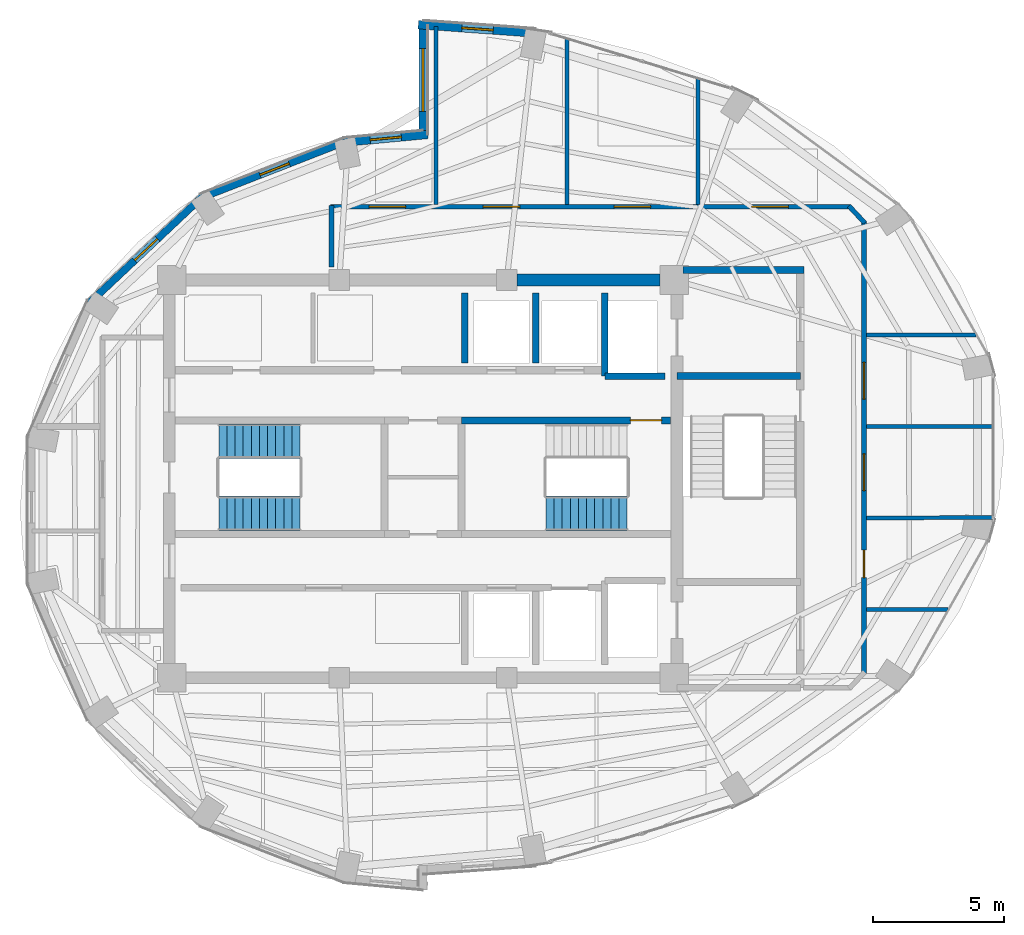
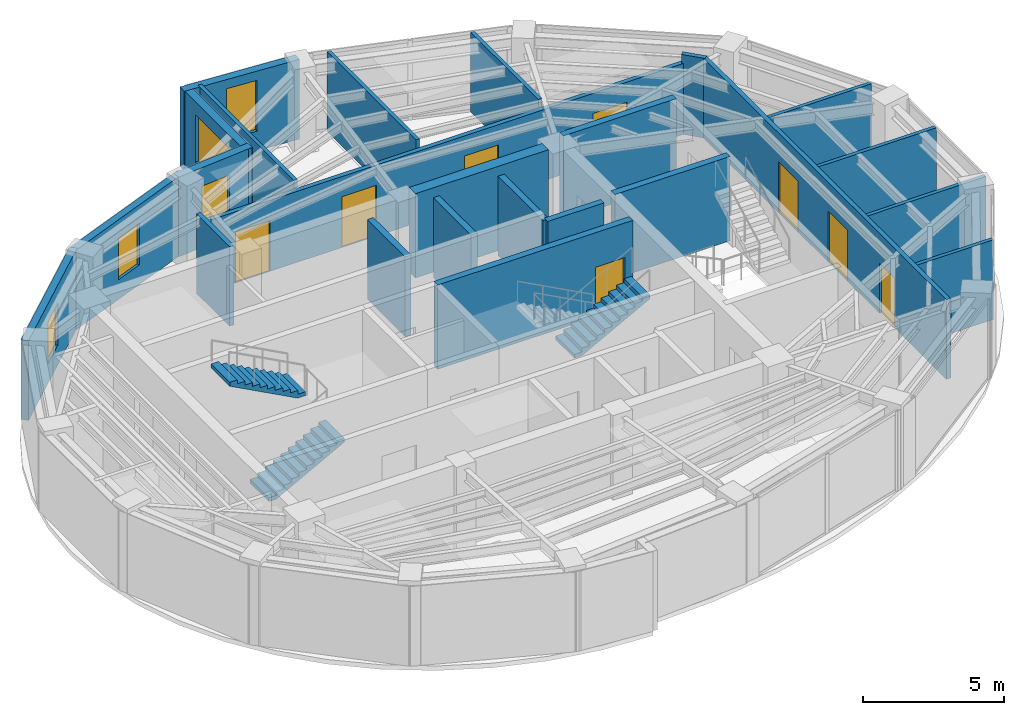
# One storey, part 10 of 13: 24 walls, 8 doors, 5 windows, 3 stair flights, 13 openings, 2 elements without a shape of their own.
"""IFC4 building model written with IfcOpenShell, lengths in metres."""

from ifc_helpers import new_model, si_unit, direction, frame, frame_2d, origin, place, context, subcontext, project, spatial, polyline, rectangle, outline, extrude, material, layer, layer_set, type_object, element, fill, aggregate, save


model = new_model("IFC4")

# Units and contexts
model_context = context("Model", 3, precision=1e-05, world=origin(), true_north=direction((0.0, 1.0)))
body_context = subcontext(model_context, "Body", "Model", "MODEL_VIEW")
ifc_project = project(units=[si_unit("LENGTHUNIT", "METRE"), si_unit("AREAUNIT", "SQUARE_METRE"), si_unit("VOLUMEUNIT", "CUBIC_METRE"), si_unit("PLANEANGLEUNIT", "RADIAN"), si_unit("MASSUNIT", "GRAM", prefix="KILO")], contexts=[model_context])

# Site, building, storey
site_placement = place(None, origin())
site = spatial("IfcSite", under=ifc_project, at=site_placement, CompositionType="ELEMENT")
building_placement = place(site_placement, origin())
building = spatial("IfcBuilding", under=site, at=building_placement, Name="Lazwardi Medical Tower", CompositionType="ELEMENT")
storey_placement = place(building_placement, frame((0.0, 0.0, 273.263916015625)))
storey = spatial("IfcBuildingStorey", under=building, at=storey_placement, Name="L71", CompositionType="ELEMENT", Elevation=273.263916015625)

# Wall
ifc_material_1 = material(Name="Fire-rated gypsum board on steel stud", Category="steel")
ifc_layer_1 = layer(ifc_material_1, 0.179931640625)
ifc_layer_set_1 = layer_set([ifc_layer_1], Name="Fire-rated gypsum board on steel stud")
wall_type_1 = type_object("IfcWallType", Name="WL-COR-180", PredefinedType="PARTITIONING", material=ifc_layer_set_1)
wall_1_placement = place(storey_placement, frame((32.5, 36.090087890625, 0.0), z_axis=(0.0, 0.0, 1.0), x_axis=(0.0, 1.0, 0.0)))
element("IfcWall", 1, at=wall_1_placement, inside=storey, type_object=wall_type_1, Name="L71 Corridor partition 1", PredefinedType="PARTITIONING", context=body_context, shape_type="SweptSolid", body=[
    extrude(rectangle(XDim=2.349853515625, YDim=0.179931640625, at=frame_2d((1.1748046875, 0.0))), origin(), (0.0, 0.0, 1.0), 3.447998046875),
])

# Wall, openings, doors
wall_2_placement = place(storey_placement, frame((32.4599609375, 38.39990234375, 0.0), z_axis=(0.0, 0.0, 1.0), x_axis=(1.0, 0.0, 0.0)))
wall_2 = element("IfcWall", 2, at=wall_2_placement, inside=storey, type_object=wall_type_1, Name="L71 Corridor partition 2", PredefinedType="PARTITIONING", context=body_context, shape_type="SweptSolid", body=[
    extrude(rectangle(XDim=19.879150390625, YDim=0.179931640625, at=frame_2d((9.939453125, 0.0))), origin(), (0.0, 0.0, 1.0), 3.072998046875),
])
opening_1_placement = place(wall_2_placement, frame((16.1005859375, 0.0, 0.0)))
opening_1 = element("IfcOpeningElement", 3, at=opening_1_placement, cuts=wall_2, Name="Opening D-L71-015", PredefinedType="OPENING", context=body_context, shape_type="SweptSolid", body=[
    extrude(rectangle(XDim=1.39990234375, YDim=2.199951171875, at=frame_2d((0.699951171875, 1.10009765625))), frame((0.0, 0.099853515625, 0.0), z_axis=(0.0, -1.0, 0.0), x_axis=(1.0, 0.0, 0.0)), (0.0, 0.0, 1.0), 0.199951171875),
])
opening_2_placement = place(wall_2_placement, frame((10.840087890625, 0.0, 0.0)))
opening_2 = element("IfcOpeningElement", 4, at=opening_2_placement, cuts=wall_2, Name="Opening D-L71-016", PredefinedType="OPENING", context=body_context, shape_type="SweptSolid", body=[
    extrude(rectangle(XDim=1.39990234375, YDim=2.199951171875, at=frame_2d((0.699951171875, 1.10009765625))), frame((0.0, 0.099853515625, 0.0), z_axis=(0.0, -1.0, 0.0), x_axis=(1.0, 0.0, 0.0)), (0.0, 0.0, 1.0), 0.199951171875),
])
opening_3_placement = place(wall_2_placement, frame((5.840087890625, 0.0, 0.0)))
opening_3 = element("IfcOpeningElement", 5, at=opening_3_placement, cuts=wall_2, Name="Opening D-L71-017", PredefinedType="OPENING", context=body_context, shape_type="SweptSolid", body=[
    extrude(rectangle(XDim=1.39990234375, YDim=2.199951171875, at=frame_2d((0.699951171875, 1.10009765625))), frame((0.0, 0.099853515625, 0.0), z_axis=(0.0, -1.0, 0.0), x_axis=(1.0, 0.0, 0.0)), (0.0, 0.0, 1.0), 0.199951171875),
])
opening_4_placement = place(wall_2_placement, frame((1.47900390625, 0.0, 0.0)))
opening_4 = element("IfcOpeningElement", 6, at=opening_4_placement, cuts=wall_2, Name="Opening D-L71-018", PredefinedType="OPENING", context=body_context, shape_type="SweptSolid", body=[
    extrude(rectangle(XDim=1.39990234375, YDim=2.199951171875, at=frame_2d((0.699951171875, 1.10009765625))), frame((0.0, 0.099853515625, 0.0), z_axis=(0.0, -1.0, 0.0), x_axis=(1.0, 0.0, 0.0)), (0.0, 0.0, 1.0), 0.199951171875),
])
ifc_material_2 = material(Name="Anti-microbial laminate hospital leaf")
door_type_1 = type_object("IfcDoorType", Name="DR-BED-1400", OperationType="NOTDEFINED", PredefinedType="DOOR", material=ifc_material_2)
door_1_placement = place(opening_1_placement, origin())
door_1 = element("IfcDoor", 7, at=door_1_placement, inside=storey, type_object=door_type_1, Name="L71 Patient Bedroom Door 06", OperationType="SINGLE_SWING_RIGHT", OverallHeight=2.199951171875, OverallWidth=1.39990234375, PredefinedType="DOOR", context=body_context, shape_type="SweptSolid", body=[
    extrude(rectangle(XDim=1.39990234375, YDim=2.199951171875, at=frame_2d((0.699951171875, 1.10009765625))), frame((0.0, 0.02490234375, 0.0), z_axis=(0.0, -1.0, 0.0), x_axis=(1.0, 0.0, 0.0)), (0.0, 0.0, 1.0), 0.050048828125),
])
fill(opening_1, door_1)
door_2_placement = place(opening_2_placement, origin())
door_2 = element("IfcDoor", 8, at=door_2_placement, inside=storey, type_object=door_type_1, Name="L71 Patient Bedroom Door 07", OperationType="SINGLE_SWING_LEFT", OverallHeight=2.199951171875, OverallWidth=1.39990234375, PredefinedType="DOOR", context=body_context, shape_type="SweptSolid", body=[
    extrude(rectangle(XDim=1.39990234375, YDim=2.199951171875, at=frame_2d((0.699951171875, 1.10009765625))), frame((0.0, 0.02490234375, 0.0), z_axis=(0.0, -1.0, 0.0), x_axis=(1.0, 0.0, 0.0)), (0.0, 0.0, 1.0), 0.050048828125),
])
fill(opening_2, door_2)
door_3_placement = place(opening_3_placement, origin())
door_3 = element("IfcDoor", 9, at=door_3_placement, inside=storey, type_object=door_type_1, Name="L71 Inpatient Ward Door 08", OperationType="SINGLE_SWING_RIGHT", OverallHeight=2.199951171875, OverallWidth=1.39990234375, PredefinedType="DOOR", context=body_context, shape_type="SweptSolid", body=[
    extrude(rectangle(XDim=1.39990234375, YDim=2.199951171875, at=frame_2d((0.699951171875, 1.10009765625))), frame((0.0, 0.02490234375, 0.0), z_axis=(0.0, -1.0, 0.0), x_axis=(1.0, 0.0, 0.0)), (0.0, 0.0, 1.0), 0.050048828125),
])
fill(opening_3, door_3)
door_4_placement = place(opening_4_placement, origin())
door_4 = element("IfcDoor", 10, at=door_4_placement, inside=storey, type_object=door_type_1, Name="L71 Inpatient Ward Door 09", OperationType="SINGLE_SWING_LEFT", OverallHeight=2.199951171875, OverallWidth=1.39990234375, PredefinedType="DOOR", context=body_context, shape_type="SweptSolid", body=[
    extrude(rectangle(XDim=1.39990234375, YDim=2.199951171875, at=frame_2d((0.699951171875, 1.10009765625))), frame((0.0, 0.02490234375, 0.0), z_axis=(0.0, -1.0, 0.0), x_axis=(1.0, 0.0, 0.0)), (0.0, 0.0, 1.0), 0.050048828125),
])
fill(opening_4, door_4)

# Wall
wall_3_placement = place(storey_placement, frame((52.271728515625, 38.42919921875, 0.0), z_axis=(0.0, 0.0, 1.0), x_axis=(0.682475113459, -0.730908831188, 0.0)))
element("IfcWall", 11, at=wall_3_placement, inside=storey, type_object=wall_type_1, Name="L71 Corridor partition 3", PredefinedType="PARTITIONING", context=body_context, shape_type="SweptSolid", body=[
    extrude(rectangle(XDim=0.88720703125, YDim=0.179931640625, at=frame_2d((0.443603515625, 0.0))), origin(), (0.0, 0.0, 1.0), 3.447998046875),
])

# Wall, openings, doors
wall_4_placement = place(storey_placement, frame((52.85009765625, 37.85009765625, 0.0), z_axis=(0.0, 0.0, 1.0), x_axis=(0.0, -1.0, 0.0)))
wall_4 = element("IfcWall", 12, at=wall_4_placement, inside=storey, type_object=wall_type_1, Name="L71 Corridor partition 4", PredefinedType="PARTITIONING", context=body_context, shape_type="SweptSolid", body=[
    extrude(rectangle(XDim=17.30029296875, YDim=0.179931640625, at=frame_2d((8.650146484375, 0.0))), origin(), (0.0, 0.0, 1.0), 3.447998046875),
])
opening_5_placement = place(wall_4_placement, frame((12.574951171875, 0.0, 0.0)))
opening_5 = element("IfcOpeningElement", 13, at=opening_5_placement, cuts=wall_4, Name="Opening D-L71-012", PredefinedType="OPENING", context=body_context, shape_type="SweptSolid", body=[
    extrude(rectangle(XDim=1.050048828125, YDim=2.14990234375, at=frame_2d((0.52490234375, 1.074951171875))), frame((0.0, 0.099853515625, 0.0), z_axis=(0.0, -1.0, 0.0), x_axis=(1.0, 0.0, 0.0)), (0.0, 0.0, 1.0), 0.199951171875),
])
opening_6_placement = place(wall_4_placement, frame((8.89990234375, 0.0, 0.0)))
opening_6 = element("IfcOpeningElement", 14, at=opening_6_placement, cuts=wall_4, Name="Opening D-L71-013", PredefinedType="OPENING", context=body_context, shape_type="SweptSolid", body=[
    extrude(rectangle(XDim=1.39990234375, YDim=2.199951171875, at=frame_2d((0.699951171875, 1.10009765625))), frame((0.0, 0.099853515625, 0.0), z_axis=(0.0, -1.0, 0.0), x_axis=(1.0, 0.0, 0.0)), (0.0, 0.0, 1.0), 0.199951171875),
])
opening_7_placement = place(wall_4_placement, frame((5.400146484375, 0.0, 0.0)))
opening_7 = element("IfcOpeningElement", 15, at=opening_7_placement, cuts=wall_4, Name="Opening D-L71-014", PredefinedType="OPENING", context=body_context, shape_type="SweptSolid", body=[
    extrude(rectangle(XDim=1.39990234375, YDim=2.199951171875, at=frame_2d((0.699951171875, 1.10009765625))), frame((0.0, 0.099853515625, 0.0), z_axis=(0.0, -1.0, 0.0), x_axis=(1.0, 0.0, 0.0)), (0.0, 0.0, 1.0), 0.199951171875),
])
door_5_placement = place(opening_6_placement, origin())
door_5 = element("IfcDoor", 16, at=door_5_placement, inside=storey, type_object=door_type_1, Name="L71 Department Reception Foyer Door 04", OperationType="SINGLE_SWING_RIGHT", OverallHeight=2.199951171875, OverallWidth=1.39990234375, PredefinedType="DOOR", context=body_context, shape_type="SweptSolid", body=[
    extrude(rectangle(XDim=1.39990234375, YDim=2.199951171875, at=frame_2d((0.699951171875, 1.10009765625))), frame((0.0, 0.02490234375, 0.0), z_axis=(0.0, -1.0, 0.0), x_axis=(1.0, 0.0, 0.0)), (0.0, 0.0, 1.0), 0.050048828125),
])
fill(opening_6, door_5)
door_6_placement = place(opening_7_placement, origin())
door_6 = element("IfcDoor", 17, at=door_6_placement, inside=storey, type_object=door_type_1, Name="L71 Outpatient Clinic Door 05", OperationType="SINGLE_SWING_LEFT", OverallHeight=2.199951171875, OverallWidth=1.39990234375, PredefinedType="DOOR", context=body_context, shape_type="SweptSolid", body=[
    extrude(rectangle(XDim=1.39990234375, YDim=2.199951171875, at=frame_2d((0.699951171875, 1.10009765625))), frame((0.0, 0.02490234375, 0.0), z_axis=(0.0, -1.0, 0.0), x_axis=(1.0, 0.0, 0.0)), (0.0, 0.0, 1.0), 0.050048828125),
])
fill(opening_7, door_6)
door_type_2 = type_object("IfcDoorType", Name="DR-CLN-1050", OperationType="NOTDEFINED", PredefinedType="DOOR", material=ifc_material_2)
door_7_placement = place(opening_5_placement, origin())
door_7 = element("IfcDoor", 18, at=door_7_placement, inside=storey, type_object=door_type_2, Name="L71 Outpatient Clinic Door 03", OperationType="SINGLE_SWING_LEFT", OverallHeight=2.14990234375, OverallWidth=1.050048828125, PredefinedType="DOOR", context=body_context, shape_type="SweptSolid", body=[
    extrude(rectangle(XDim=1.050048828125, YDim=2.14990234375, at=frame_2d((0.52490234375, 1.074951171875))), frame((0.0, 0.02490234375, 0.0), z_axis=(0.0, -1.0, 0.0), x_axis=(1.0, 0.0, 0.0)), (0.0, 0.0, 1.0), 0.050048828125),
])
fill(opening_5, door_7)

# Wall
ifc_material_3 = material(Name="Concrete C60/75", Category="concrete")
ifc_layer_2 = layer(ifc_material_3, 0.449951171875)
ifc_layer_set_2 = layer_set([ifc_layer_2], Name="Concrete C60/75")
wall_type_2 = type_object("IfcWallType", Name="WL-CORE-450", PredefinedType="SHEAR", material=ifc_layer_set_2)
wall_5_placement = place(storey_placement, frame((39.60009765625, 35.60009765625, 0.0), z_axis=(0.0, 0.0, 1.0), x_axis=(1.0, 0.0, 0.0)))
element("IfcWall", 19, at=wall_5_placement, inside=storey, type_object=wall_type_2, Name="Core wall CW-S4 N3 L71", PredefinedType="SHEAR", context=body_context, shape_type="SweptSolid", body=[
    extrude(rectangle(XDim=5.449951171875, YDim=0.449951171875, at=frame_2d((2.72509765625, 0.0))), origin(), (0.0, 0.0, 1.0), 3.648193359375),
])

# Wall, opening, window
ifc_material_4 = material(Name="Precast concrete C45/55", Category="concrete")
ifc_layer_3 = layer(ifc_material_4, 0.280029296875)
ifc_layer_set_3 = layer_set([ifc_layer_3], Name="Precast concrete C45/55")
wall_type_3 = type_object("IfcWallType", Name="WL-DRUM-280", PredefinedType="SOLIDWALL", material=ifc_layer_set_3)
wall_6_placement = place(storey_placement, frame((33.227783203125, 40.964111328125, 0.0), z_axis=(0.0, 0.0, 1.0), x_axis=(-0.931716550814, -0.36318627306, 0.0)))
wall_6 = element("IfcWall", 20, at=wall_6_placement, inside=storey, type_object=wall_type_3, Name="L71 West Drum Precast Wall 1", PredefinedType="SOLIDWALL", context=body_context, shape_type="SweptSolid", body=[
    extrude(rectangle(XDim=6.22412109375, YDim=0.280029296875, at=frame_2d((3.112060546875, 0.0))), origin(), (0.0, 0.0, 1.0), 3.447998046875),
])
opening_8_placement = place(wall_6_placement, frame((2.511962890625, 0.0, 0.85009765625)))
opening_8 = element("IfcOpeningElement", 21, at=opening_8_placement, cuts=wall_6, Name="Opening WN-04", PredefinedType="OPENING", context=body_context, shape_type="SweptSolid", body=[
    extrude(rectangle(XDim=1.199951171875, YDim=1.800048828125, at=frame_2d((0.60009765625, 0.89990234375))), frame((0.0, 0.14990234375, 0.0), z_axis=(0.0, -1.0, 0.0), x_axis=(1.0, 0.0, 0.0)), (0.0, 0.0, 1.0), 0.300048828125),
])
ifc_material_5 = material(Name="Low-e bronze solar control double glazing", Category="glass")
window_type_1 = type_object("IfcWindowType", Name="WIN-DRUM-1200", PartitioningType="SINGLE_PANEL", PredefinedType="WINDOW", material=ifc_material_5)
window_1_placement = place(opening_8_placement, origin())
window_1 = element("IfcWindow", 22, at=window_1_placement, inside=storey, type_object=window_type_1, Name="L71 West Drum Window 1", OverallHeight=1.800048828125, OverallWidth=1.199951171875, PartitioningType="SINGLE_PANEL", PredefinedType="WINDOW", context=body_context, shape_type="SweptSolid", body=[
    extrude(rectangle(XDim=1.199951171875, YDim=1.800048828125, at=frame_2d((0.60009765625, 0.89990234375))), frame((0.0, 0.030029296875, 0.0), z_axis=(0.0, -1.0, 0.0), x_axis=(1.0, 0.0, 0.0)), (0.0, 0.0, 1.0), 0.06005859375),
])
fill(opening_8, window_1)

wall_7_placement = place(storey_placement, frame((27.5947265625, 38.808349609375, 0.0), z_axis=(0.0, 0.0, 1.0), x_axis=(-0.728251519923, -0.685309947199, 0.0)))
wall_7 = element("IfcWall", 23, at=wall_7_placement, inside=storey, type_object=wall_type_3, Name="L71 West Drum Precast Wall 2", PredefinedType="SOLIDWALL", context=body_context, shape_type="SweptSolid", body=[
    extrude(rectangle(XDim=5.98095703125, YDim=0.280029296875, at=frame_2d((2.990478515625, 0.0))), origin(), (0.0, 0.0, 1.0), 3.447998046875),
])
opening_9_placement = place(wall_7_placement, frame((2.390625, 0.0, 0.85009765625)))
opening_9 = element("IfcOpeningElement", 24, at=opening_9_placement, cuts=wall_7, Name="Opening WN-04", PredefinedType="OPENING", context=body_context, shape_type="SweptSolid", body=[
    extrude(rectangle(XDim=1.199951171875, YDim=1.800048828125, at=frame_2d((0.60009765625, 0.89990234375))), frame((0.0, 0.14990234375, 0.0), z_axis=(0.0, -1.0, 0.0), x_axis=(1.0, 0.0, 0.0)), (0.0, 0.0, 1.0), 0.300048828125),
])
window_2_placement = place(opening_9_placement, origin())
window_2 = element("IfcWindow", 25, at=window_2_placement, inside=storey, type_object=window_type_1, Name="L71 West Drum Window 2", OverallHeight=1.800048828125, OverallWidth=1.199951171875, PartitioningType="SINGLE_PANEL", PredefinedType="WINDOW", context=body_context, shape_type="SweptSolid", body=[
    extrude(rectangle(XDim=1.199951171875, YDim=1.800048828125, at=frame_2d((0.60009765625, 0.89990234375))), frame((0.0, 0.030029296875, 0.0), z_axis=(0.0, -1.0, 0.0), x_axis=(1.0, 0.0, 0.0)), (0.0, 0.0, 1.0), 0.06005859375),
])
fill(opening_9, window_2)

ifc_layer_4 = layer(ifc_material_4, 0.320068359375)
ifc_layer_set_4 = layer_set([ifc_layer_4], Name="Precast concrete C45/55")
wall_type_4 = type_object("IfcWallType", Name="WL-IWAN-320", PredefinedType="SOLIDWALL", material=ifc_layer_set_4)
wall_8_placement = place(storey_placement, frame((40.349609375, 45.0263671875, 0.0), z_axis=(0.0, 0.0, 1.0), x_axis=(-0.997412917451, 0.071885131294, 0.0)))
wall_8 = element("IfcWall", 26, at=wall_8_placement, inside=storey, type_object=wall_type_4, Name="L71 Iwan Portal Return Wall NE_ret", PredefinedType="SOLIDWALL", context=body_context, shape_type="SweptSolid", body=[
    extrude(rectangle(XDim=4.540771484375, YDim=0.320068359375, at=frame_2d((2.2705078125, 0.0))), origin(), (0.0, 0.0, 1.0), 3.447998046875),
])
opening_10_placement = place(wall_8_placement, frame((1.67041015625, 0.0, 0.85009765625)))
opening_10 = element("IfcOpeningElement", 27, at=opening_10_placement, cuts=wall_8, Name="Opening WN-01", PredefinedType="OPENING", context=body_context, shape_type="SweptSolid", body=[
    extrude(rectangle(XDim=1.199951171875, YDim=2.199951171875, at=frame_2d((0.60009765625, 1.10009765625))), frame((0.0, 0.169921875, 0.0), z_axis=(0.0, -1.0, 0.0), x_axis=(1.0, 0.0, 0.0)), (0.0, 0.0, 1.0), 0.340087890625),
])
window_type_2 = type_object("IfcWindowType", Name="WIN-IW-1200", PartitioningType="SINGLE_PANEL", PredefinedType="WINDOW", material=ifc_material_5)
window_3_placement = place(opening_10_placement, origin())
window_3 = element("IfcWindow", 28, at=window_3_placement, inside=storey, type_object=window_type_2, Name="L71 Iwan Slot Window NE_ret", OverallHeight=2.199951171875, OverallWidth=1.199951171875, PartitioningType="SINGLE_PANEL", PredefinedType="WINDOW", context=body_context, shape_type="SweptSolid", body=[
    extrude(rectangle(XDim=1.199951171875, YDim=2.199951171875, at=frame_2d((0.60009765625, 1.10009765625))), frame((0.0, 0.030029296875, 0.0), z_axis=(0.0, -1.0, 0.0), x_axis=(1.0, 0.0, 0.0)), (0.0, 0.0, 1.0), 0.06005859375),
])
fill(opening_10, window_3)

wall_9_placement = place(storey_placement, frame((36.178955078125, 41.156494140625, 0.0), z_axis=(0.0, 0.0, 1.0), x_axis=(-0.995736155144, -0.092247001792, 0.0)))
wall_9 = element("IfcWall", 29, at=wall_9_placement, inside=storey, type_object=wall_type_4, Name="L71 Iwan Portal Return Wall NW_ret", PredefinedType="SOLIDWALL", context=body_context, shape_type="SweptSolid", body=[
    extrude(rectangle(XDim=3.215576171875, YDim=0.320068359375, at=frame_2d((1.60791015625, 0.0))), origin(), (0.0, 0.0, 1.0), 3.447998046875),
])
opening_11_placement = place(wall_9_placement, frame((1.0078125, 0.0, 0.85009765625)))
opening_11 = element("IfcOpeningElement", 30, at=opening_11_placement, cuts=wall_9, Name="Opening WN-04", PredefinedType="OPENING", context=body_context, shape_type="SweptSolid", body=[
    extrude(rectangle(XDim=1.199951171875, YDim=1.800048828125, at=frame_2d((0.60009765625, 0.89990234375))), frame((0.0, 0.169921875, 0.0), z_axis=(0.0, -1.0, 0.0), x_axis=(1.0, 0.0, 0.0)), (0.0, 0.0, 1.0), 0.340087890625),
])
window_4_placement = place(opening_11_placement, origin())
window_4 = element("IfcWindow", 31, at=window_4_placement, inside=storey, type_object=window_type_1, Name="L71 Iwan Slot Window NW_ret", OverallHeight=1.800048828125, OverallWidth=1.199951171875, PartitioningType="SINGLE_PANEL", PredefinedType="WINDOW", context=body_context, shape_type="SweptSolid", body=[
    extrude(rectangle(XDim=1.199951171875, YDim=1.800048828125, at=frame_2d((0.60009765625, 0.89990234375))), frame((0.0, 0.030029296875, 0.0), z_axis=(0.0, -1.0, 0.0), x_axis=(1.0, 0.0, 0.0)), (0.0, 0.0, 1.0), 0.06005859375),
])
fill(opening_11, window_4)

wall_10_placement = place(storey_placement, frame((36.0, 45.5, 0.0), z_axis=(0.0, 0.0, 1.0), x_axis=(0.0, -1.0, 0.0)))
wall_10 = element("IfcWall", 32, at=wall_10_placement, inside=storey, type_object=wall_type_4, Name="L71 Turquoise Tilework Iwan Seam Wall N_seam", PredefinedType="SOLIDWALL", context=body_context, shape_type="SweptSolid", body=[
    extrude(rectangle(XDim=4.52001953125, YDim=0.320068359375, at=frame_2d((2.260009765625, 0.0))), origin(), (0.0, 0.0, 1.0), 3.447998046875),
])
opening_12_placement = place(wall_10_placement, frame((1.06005859375, 0.0, 0.840087890625)))
opening_12 = element("IfcOpeningElement", 33, at=opening_12_placement, cuts=wall_10, Name="Opening WN-02", PredefinedType="OPENING", context=body_context, shape_type="SweptSolid", body=[
    extrude(rectangle(XDim=2.39990234375, YDim=2.0400390625, at=frame_2d((1.199951171875, 1.02001953125))), frame((0.0, 0.169921875, 0.0), z_axis=(0.0, -1.0, 0.0), x_axis=(1.0, 0.0, 0.0)), (0.0, 0.0, 1.0), 0.340087890625),
])
window_type_3 = type_object("IfcWindowType", Name="WIN-IW-2400", PartitioningType="SINGLE_PANEL", PredefinedType="WINDOW", material=ifc_material_5)
window_5_placement = place(opening_12_placement, origin())
window_5 = element("IfcWindow", 34, at=window_5_placement, inside=storey, type_object=window_type_3, Name="L71 Iwan Seam Window N_seam", OverallHeight=2.0400390625, OverallWidth=2.39990234375, PartitioningType="SINGLE_PANEL", PredefinedType="WINDOW", context=body_context, shape_type="SweptSolid", body=[
    extrude(rectangle(XDim=2.39990234375, YDim=2.0400390625, at=frame_2d((1.199951171875, 1.02001953125))), frame((0.0, 0.030029296875, 0.0), z_axis=(0.0, -1.0, 0.0), x_axis=(1.0, 0.0, 0.0)), (0.0, 0.0, 1.0), 0.06005859375),
])
fill(opening_12, window_5)

# Walls
ifc_material_6 = material(Name="Autoclaved aerated concrete blockwork", Category="masonry")
ifc_layer_5 = layer(ifc_material_6, 0.25)
ifc_layer_set_5 = layer_set([ifc_layer_5], Name="Autoclaved aerated concrete blockwork")
wall_type_5 = type_object("IfcWallType", Name="WL-SHAFT-250", PredefinedType="SOLIDWALL", material=ifc_layer_set_5)
wall_11_placement = place(storey_placement, frame((42.949951171875, 31.919921875, 0.0), z_axis=(0.0, 0.0, 1.0), x_axis=(0.0, 1.0, 0.0)))
element("IfcWall", 35, at=wall_11_placement, inside=storey, type_object=wall_type_5, Name="L71 FL-01 West shaft wall", PredefinedType="SOLIDWALL", context=body_context, shape_type="SweptSolid", body=[
    extrude(rectangle(XDim=3.18017578125, YDim=0.25, at=frame_2d((1.590087890625, 0.0))), origin(), (0.0, 0.0, 1.0), 3.447998046875),
])
wall_12_placement = place(storey_placement, frame((42.949951171875, 31.919921875, 0.0), z_axis=(0.0, 0.0, 1.0), x_axis=(1.0, 0.0, 0.0)))
element("IfcWall", 36, at=wall_12_placement, inside=storey, type_object=wall_type_5, Name="L71 FL-01 South shaft wall", PredefinedType="SOLIDWALL", context=body_context, shape_type="SweptSolid", body=[
    extrude(rectangle(XDim=2.300048828125, YDim=0.25, at=frame_2d((1.14990234375, 0.0))), origin(), (0.0, 0.0, 1.0), 3.447998046875),
])
for number, where, z_axis, x_axis, name in (
    (37, (37.60009765625, 32.419921875, 0.0), (0.0, 0.0, 1.0), (0.0, 1.0, 0.0), "L71 North hoistway divider"),
    (38, (40.300048828125, 32.419921875, 0.0), (0.0, 0.0, 1.0), (0.0, 1.0, 0.0), "L71 North hoistway divider"),
):
    element("IfcWall", number, at=place(storey_placement, frame(where, z_axis=z_axis, x_axis=x_axis)), inside=storey, type_object=wall_type_5, Name=name, PredefinedType="SOLIDWALL", context=body_context, shape_type="SweptSolid", body=[
        extrude(rectangle(XDim=2.68017578125, YDim=0.25, at=frame_2d((1.340087890625, 0.0))), origin(), (0.0, 0.0, 1.0), 3.447998046875),
    ])

# Wall, opening, door
ifc_material_7 = material(Name="Concrete C50/60", Category="concrete")
ifc_layer_6 = layer(ifc_material_7, 0.27001953125)
ifc_layer_set_6 = layer_set([ifc_layer_6], Name="Concrete C50/60")
wall_type_6 = type_object("IfcWallType", Name="WL-STR-250", PredefinedType="SHEAR", material=ifc_layer_set_6)
wall_13_placement = place(storey_placement, frame((37.465087890625, 30.235107421875, 0.0), z_axis=(0.0, 0.0, 1.0), x_axis=(1.0, 0.0, 0.0)))
wall_13 = element("IfcWall", 39, at=wall_13_placement, inside=storey, type_object=wall_type_6, Name="L71 ST2 North shear shaft wall SW-S1", PredefinedType="SHEAR", context=body_context, shape_type="SweptSolid", body=[
    extrude(rectangle(XDim=7.98486328125, YDim=0.27001953125, at=frame_2d((3.992431640625, 0.0))), origin(), (0.0, 0.0, 1.0), 3.648193359375),
])
opening_13_placement = place(wall_13_placement, frame((6.455078125, 0.0, 0.0)))
opening_13 = element("IfcOpeningElement", 40, at=opening_13_placement, cuts=wall_13, Name="Opening D-L71-020", PredefinedType="OPENING", context=body_context, shape_type="SweptSolid", body=[
    extrude(rectangle(XDim=1.199951171875, YDim=2.14990234375, at=frame_2d((0.60009765625, 1.074951171875))), frame((0.0, 0.14501953125, 0.0), z_axis=(0.0, -1.0, 0.0), x_axis=(1.0, 0.0, 0.0)), (0.0, 0.0, 1.0), 0.2900390625),
])
ifc_material_8 = material(Name="Fire-rated steel leaf and frame", Category="steel")
door_type_3 = type_object("IfcDoorType", Name="DR-STR-1200", OperationType="NOTDEFINED", PredefinedType="DOOR", material=ifc_material_8)
door_8_placement = place(opening_13_placement, origin())
door_8 = element("IfcDoor", 41, at=door_8_placement, inside=storey, type_object=door_type_3, Name="L71 Exit Stair ST2 Door", OperationType="SINGLE_SWING_RIGHT", OverallHeight=2.14990234375, OverallWidth=1.199951171875, PredefinedType="DOOR", context=body_context, shape_type="SweptSolid", body=[
    extrude(rectangle(XDim=1.199951171875, YDim=2.14990234375, at=frame_2d((0.60009765625, 1.074951171875))), frame((0.0, 0.02490234375, 0.0), z_axis=(0.0, -1.0, 0.0), x_axis=(1.0, 0.0, 0.0)), (0.0, 0.0, 1.0), 0.050048828125),
])
fill(opening_13, door_8)

# Walls
wall_14_placement = place(storey_placement, frame((45.925048828125, 35.97998046875, 0.0), z_axis=(0.0, 0.0, 1.0), x_axis=(1.0, 0.0, 0.0)))
element("IfcWall", 42, at=wall_14_placement, inside=storey, type_object=wall_type_6, Name="L71 FFL-N North shear wall SW-S1", PredefinedType="SHEAR", context=body_context, shape_type="SweptSolid", body=[
    extrude(rectangle(XDim=4.625, YDim=0.27001953125, at=frame_2d((2.3125, 0.0))), origin(), (0.0, 0.0, 1.0), 3.648193359375),
])
wall_15_placement = place(storey_placement, frame((45.699951171875, 31.93505859375, 0.0), z_axis=(0.0, 0.0, 1.0), x_axis=(1.0, 0.0, 0.0)))
element("IfcWall", 43, at=wall_15_placement, inside=storey, type_object=wall_type_6, Name="L71 ST3 North shear shaft wall SW-S1", PredefinedType="SHEAR", context=body_context, shape_type="SweptSolid", body=[
    extrude(rectangle(XDim=4.715087890625, YDim=0.27001953125, at=frame_2d((2.357421875, 0.0))), origin(), (0.0, 0.0, 1.0), 3.648193359375),
])
ifc_material_9 = material(Name="Acoustic gypsum board partition")
ifc_layer_7 = layer(ifc_material_9, 0.14990234375)
ifc_layer_set_7 = layer_set([ifc_layer_7], Name="Acoustic gypsum board partition")
wall_type_7 = type_object("IfcWallType", Name="WL-WRD-150", PredefinedType="PARTITIONING", material=ifc_layer_set_7)
wall_16_placement = place(storey_placement, frame((52.93994140625, 23.0, 0.0), z_axis=(0.0, 0.0, 1.0), x_axis=(1.0, 0.0, 0.0)))
element("IfcWall", 44, at=wall_16_placement, inside=storey, type_object=wall_type_7, Name="L71 Room partition 3", PredefinedType="PARTITIONING", context=body_context, shape_type="SweptSolid", body=[
    extrude(rectangle(XDim=3.125732421875, YDim=0.14990234375, at=frame_2d((1.56298828125, 0.0))), origin(), (0.0, 0.0, 1.0), 3.447998046875),
])
wall_17_placement = place(storey_placement, frame((52.93994140625, 26.50048828125, 0.0), z_axis=(0.0, 0.0, 1.0), x_axis=(0.999987566883, 0.004986589892, 0.0)))
element("IfcWall", 45, at=wall_17_placement, inside=storey, type_object=wall_type_7, Name="L71 Room partition 4", PredefinedType="PARTITIONING", context=body_context, shape_type="SweptSolid", body=[
    extrude(rectangle(XDim=4.846923828125, YDim=0.14990234375, at=frame_2d((2.42333984375, 0.0))), origin(), (0.0, 0.0, 1.0), 3.447998046875),
])
wall_18_placement = place(storey_placement, frame((52.93994140625, 30.0, 0.0), z_axis=(0.0, 0.0, 1.0), x_axis=(1.0, 0.0, 0.0)))
element("IfcWall", 46, at=wall_18_placement, inside=storey, type_object=wall_type_7, Name="L71 Room partition 5", PredefinedType="PARTITIONING", context=body_context, shape_type="SweptSolid", body=[
    extrude(rectangle(XDim=4.831787109375, YDim=0.14990234375, at=frame_2d((2.416015625, 0.0))), origin(), (0.0, 0.0, 1.0), 3.447998046875),
])
wall_19_placement = place(storey_placement, frame((52.93994140625, 33.5, 0.0), z_axis=(0.0, 0.0, 1.0), x_axis=(1.0, 0.0, 0.0)))
element("IfcWall", 47, at=wall_19_placement, inside=storey, type_object=wall_type_7, Name="L71 Room partition 6", PredefinedType="PARTITIONING", context=body_context, shape_type="SweptSolid", body=[
    extrude(rectangle(XDim=4.19921875, YDim=0.14990234375, at=frame_2d((2.099609375, 0.0))), origin(), (0.0, 0.0, 1.0), 3.447998046875),
])
wall_20_placement = place(storey_placement, frame((36.5, 38.489990234375, 0.0), z_axis=(0.0, 0.0, 1.0), x_axis=(0.0, 1.0, 0.0)))
element("IfcWall", 48, at=wall_20_placement, inside=storey, type_object=wall_type_7, Name="L71 Room partition 7", PredefinedType="PARTITIONING", context=body_context, shape_type="SweptSolid", body=[
    extrude(rectangle(XDim=6.78466796875, YDim=0.14990234375, at=frame_2d((3.392333984375, 0.0))), origin(), (0.0, 0.0, 1.0), 3.447998046875),
])
wall_21_placement = place(storey_placement, frame((41.5, 38.489990234375, 0.0), z_axis=(0.0, 0.0, 1.0), x_axis=(0.0, 1.0, 0.0)))
element("IfcWall", 49, at=wall_21_placement, inside=storey, type_object=wall_type_7, Name="L71 Room partition 8", PredefinedType="PARTITIONING", context=body_context, shape_type="SweptSolid", body=[
    extrude(rectangle(XDim=6.309814453125, YDim=0.14990234375, at=frame_2d((3.15478515625, 0.0))), origin(), (0.0, 0.0, 1.0), 3.447998046875),
])
wall_22_placement = place(storey_placement, frame((46.5, 38.489990234375, 0.0), z_axis=(0.0, 0.0, 1.0), x_axis=(0.0, 1.0, 0.0)))
element("IfcWall", 50, at=wall_22_placement, inside=storey, type_object=wall_type_7, Name="L71 Room partition 9", PredefinedType="PARTITIONING", context=body_context, shape_type="SweptSolid", body=[
    extrude(rectangle(XDim=4.791259765625, YDim=0.14990234375, at=frame_2d((2.3955078125, 0.0))), origin(), (0.0, 0.0, 1.0), 3.447998046875),
])

# Stair, stair flights
ifc_material_10 = material(Name="Concrete C45/55", Category="concrete")
stair_type = type_object("IfcStairType", Name="STR-WRD", PredefinedType="HALF_TURN_STAIR", material=ifc_material_10)
stair_1_placement = place(storey_placement, origin())
stair_1 = element("IfcStair", 51, at=stair_1_placement, inside=storey, type_object=stair_type, Name="L71 Protected Exit Stair ST1", PredefinedType="HALF_TURN_STAIR")
stair_flight_type = type_object("IfcStairFlightType", Name="FLT-WRD", PredefinedType="STRAIGHT", material=ifc_material_10)
stair_flight_1_placement = place(storey_placement, frame((28.199951171875, 26.679931640625, 0.0), z_axis=(0.0, 0.0, 1.0), x_axis=(1.0, 0.0, 0.0)))
stair_flight_1 = element("IfcStairFlight", 52, at=stair_flight_1_placement, type_object=stair_flight_type, Name="ST1 flight 1", NumberOfRisers=11, NumberOfTreads=10, PredefinedType="STRAIGHT", RiserHeight=0.165818182, TreadLength=0.31, context=body_context, shape_type="SweptSolid", body=[
    extrude(outline(polyline([(0.0, 0.0), (0.0, 0.165771484375), (0.31005859375, 0.165771484375), (0.31005859375, 0.33154296875), (0.6201171875, 0.33154296875), (0.6201171875, 0.49755859375), (0.929931640625, 0.49755859375), (0.929931640625, 0.663330078125), (1.239990234375, 0.663330078125), (1.239990234375, 0.8291015625), (1.550048828125, 0.8291015625), (1.550048828125, 0.994873046875), (1.860107421875, 0.994873046875), (1.860107421875, 1.16064453125), (2.169921875, 1.16064453125), (2.169921875, 1.32666015625), (2.47998046875, 1.32666015625), (2.47998046875, 1.492431640625), (2.7900390625, 1.492431640625), (2.7900390625, 1.658203125), (3.10009765625, 1.658203125), (3.10009765625, 1.823974609375), (3.10009765625, 1.48828125), (0.31787109375, 0.0), (0.0, 0.0)])), frame((0.0, 0.66015625, 0.0), z_axis=(0.0, -1.0, 0.0), x_axis=(1.0, 0.0, 0.0)), (0.0, 0.0, 1.0), 1.320068359375),
])
stair_flight_2_placement = place(storey_placement, frame((31.300048828125, 29.43994140625, 1.823974609375), z_axis=(0.0, 0.0, 1.0), x_axis=(-1.0, 0.0, 0.0)))
stair_flight_2 = element("IfcStairFlight", 53, at=stair_flight_2_placement, type_object=stair_flight_type, Name="ST1 flight 2", NumberOfRisers=11, NumberOfTreads=10, PredefinedType="STRAIGHT", RiserHeight=0.165818182, TreadLength=0.31, context=body_context, shape_type="SweptSolid", body=[
    extrude(outline(polyline([(0.0, 0.0), (0.0, 0.165771484375), (0.31005859375, 0.165771484375), (0.31005859375, 0.33154296875), (0.6201171875, 0.33154296875), (0.6201171875, 0.49755859375), (0.929931640625, 0.49755859375), (0.929931640625, 0.663330078125), (1.239990234375, 0.663330078125), (1.239990234375, 0.8291015625), (1.550048828125, 0.8291015625), (1.550048828125, 0.994873046875), (1.860107421875, 0.994873046875), (1.860107421875, 1.16064453125), (2.169921875, 1.16064453125), (2.169921875, 1.32666015625), (2.47998046875, 1.32666015625), (2.47998046875, 1.492431640625), (2.7900390625, 1.492431640625), (2.7900390625, 1.658203125), (3.10009765625, 1.658203125), (3.10009765625, 1.823974609375), (3.10009765625, 1.48828125), (0.31787109375, 0.0), (0.0, 0.0)])), frame((0.0, 0.66015625, 0.0), z_axis=(0.0, -1.0, 0.0), x_axis=(1.0, 0.0, 0.0)), (0.0, 0.0, 1.0), 1.320068359375),
])
aggregate(stair_1, [stair_flight_1, stair_flight_2])

# Stair, stair flight
stair_2_placement = place(storey_placement, origin())
stair_2 = element("IfcStair", 54, at=stair_2_placement, inside=storey, type_object=stair_type, Name="L71 Protected Exit Stair ST2", PredefinedType="HALF_TURN_STAIR")
stair_flight_3_placement = place(storey_placement, frame((40.699951171875, 26.679931640625, 1.823974609375), z_axis=(0.0, 0.0, 1.0), x_axis=(1.0, 0.0, 0.0)))
stair_flight_3 = element("IfcStairFlight", 55, at=stair_flight_3_placement, type_object=stair_flight_type, Name="ST2 flight 2", NumberOfRisers=11, NumberOfTreads=10, PredefinedType="STRAIGHT", RiserHeight=0.165818182, TreadLength=0.31, context=body_context, shape_type="SweptSolid", body=[
    extrude(outline(polyline([(0.0, 0.0), (0.0, 0.165771484375), (0.31005859375, 0.165771484375), (0.31005859375, 0.33154296875), (0.6201171875, 0.33154296875), (0.6201171875, 0.49755859375), (0.929931640625, 0.49755859375), (0.929931640625, 0.663330078125), (1.239990234375, 0.663330078125), (1.239990234375, 0.8291015625), (1.550048828125, 0.8291015625), (1.550048828125, 0.994873046875), (1.860107421875, 0.994873046875), (1.860107421875, 1.16064453125), (2.169921875, 1.16064453125), (2.169921875, 1.32666015625), (2.47998046875, 1.32666015625), (2.47998046875, 1.492431640625), (2.7900390625, 1.492431640625), (2.7900390625, 1.658203125), (3.10009765625, 1.658203125), (3.10009765625, 1.823974609375), (3.10009765625, 1.48828125), (0.31787109375, 0.0), (0.0, 0.0)])), frame((0.0, 0.66015625, 0.0), z_axis=(0.0, -1.0, 0.0), x_axis=(1.0, 0.0, 0.0)), (0.0, 0.0, 1.0), 1.320068359375),
])
aggregate(stair_2, [stair_flight_3])

save(model, "model.ifc")
